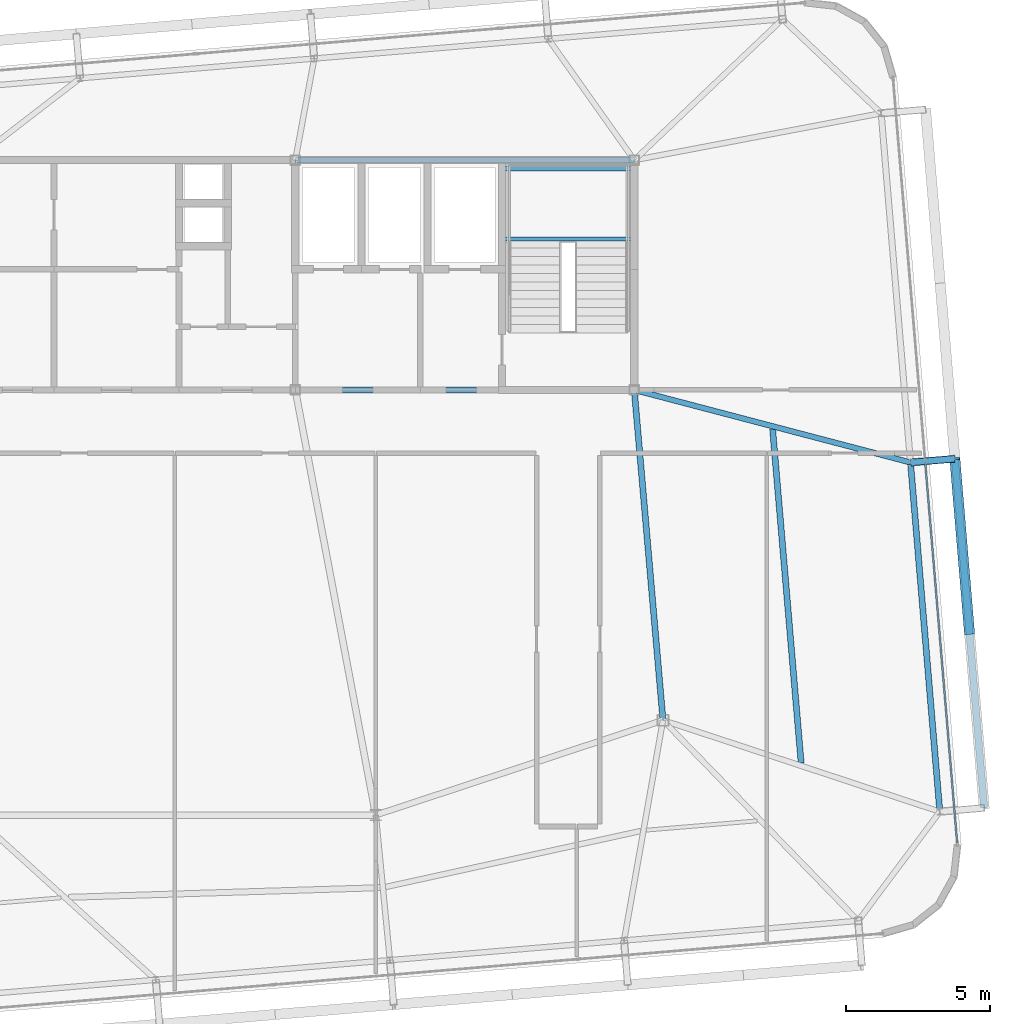
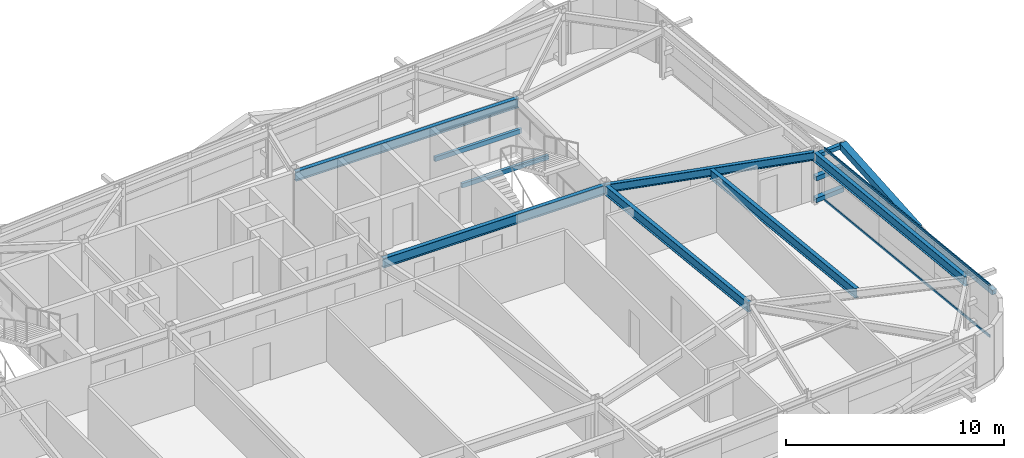
# One storey, part 19 of 39: 8 beams, 7 members, 1 element without a shape of its own.
"""IFC4 building model written with IfcOpenShell, lengths in metres."""

from ifc_helpers import new_model, si_unit, direction, frame, origin, origin_2d, place, context, subcontext, project, spatial, hollow_rectangle, i_section, extrude, source, transform, mapped, material, layer, layer_set, material_profile, profile_set, type_object, element, aggregate, save


model = new_model("IFC4")

# Units and contexts
model_context = context("Model", 3, precision=1e-05, world=origin(), true_north=direction((0.0, 1.0)))
body_context = subcontext(model_context, "Body", "Model", "MODEL_VIEW")
ifc_project = project(units=[si_unit("LENGTHUNIT", "METRE"), si_unit("AREAUNIT", "SQUARE_METRE"), si_unit("VOLUMEUNIT", "CUBIC_METRE"), si_unit("PLANEANGLEUNIT", "RADIAN"), si_unit("MASSUNIT", "GRAM", prefix="KILO")], contexts=[model_context])

# Site, building, storey
site_placement = place(None, origin())
site = spatial("IfcSite", under=ifc_project, at=site_placement, CompositionType="ELEMENT")
building_placement = place(site_placement, origin())
building = spatial("IfcBuilding", under=site, at=building_placement, Name="Taldren Reach Tower", CompositionType="ELEMENT")
storey_placement = place(building_placement, frame((0.0, 0.0, 178.85009765625)))
storey = spatial("IfcBuildingStorey", under=building, at=storey_placement, Name="L54", CompositionType="ELEMENT", Elevation=178.85009765625)

# Beams
ifc_material_1 = material(Name="Steel Gr 350 (350PLUS)", Category="steel")
ifc_material_profile_1 = material_profile(ifc_material_1, i_section(OverallWidth=0.208984375, OverallDepth=0.532958984375, WebThickness=0.01025390625, FlangeThickness=0.015625, at=origin_2d()), Name="530UB92.4")
ifc_profile_set_1 = profile_set([ifc_material_profile_1], Name="Steel Gr 350 (350PLUS)")
beam_type_1 = type_object("IfcBeamType", Name="BM-UB530A", PredefinedType="BEAM", material=ifc_profile_set_1)
shared_shape_1 = source(origin(), body_context, "Body", "SweptSolid", [
    extrude(i_section(OverallWidth=0.208984375, OverallDepth=0.532958984375, WebThickness=0.01025390625, FlangeThickness=0.015625, at=origin_2d()), origin(), (0.0, 0.0, 1.0), 11.800048828125),
])
for number, where, z_axis, x_axis, name in (
    (1, (39.199951171875, 24.0, 2.663330078125), (1.0, 0.0, 0.0), (0.0, 1.0, 0.0), "Core-spine girder L54-SP03"),
    (2, (39.199951171875, 32.0, 2.663330078125), (1.0, 0.0, 0.0), (0.0, 1.0, 0.0), "Core-spine girder L54-SP06"),
):
    element("IfcBeam", number, at=place(storey_placement, frame(where, z_axis=z_axis, x_axis=x_axis)), inside=storey, type_object=beam_type_1, Name=name, PredefinedType="BEAM", context=body_context, shape_type="MappedRepresentation", body=[
        mapped(shared_shape_1, transform((0.0, 0.0, 0.0), scale=1.0)),
    ])
shared_shape_2 = source(origin(), body_context, "Body", "SweptSolid", [
    extrude(i_section(OverallWidth=0.208984375, OverallDepth=0.532958984375, WebThickness=0.01025390625, FlangeThickness=0.015625, at=origin_2d()), origin(), (0.0, 0.0, 1.0), 11.54345703125),
])
beam_1_placement = place(storey_placement, frame((52.0, 12.5, 2.663330078125), z_axis=(-0.086629616365, 0.996240588196, 0.0), x_axis=(-0.996240588196, -0.086629616365, 0.0)))
element("IfcBeam", 3, at=beam_1_placement, inside=storey, type_object=beam_type_1, Name="Core-spine girder L54-SP13", PredefinedType="BEAM", context=body_context, shape_type="MappedRepresentation", body=[
    mapped(shared_shape_2, transform((0.0, 0.0, 0.0), scale=1.0)),
])
ifc_material_profile_2 = material_profile(ifc_material_1, i_section(OverallWidth=0.208984375, OverallDepth=0.528076171875, WebThickness=0.009521484375, FlangeThickness=0.01318359375, at=origin_2d()), Name="530UB82.0")
ifc_profile_set_2 = profile_set([ifc_material_profile_2], Name="Steel Gr 350 (350PLUS)")
beam_type_2 = type_object("IfcBeamType", Name="SP-UB530B", PredefinedType="SPANDREL", material=ifc_profile_set_2)
shared_shape_3 = source(origin(), body_context, "Body", "SweptSolid", [
    extrude(i_section(OverallWidth=0.208984375, OverallDepth=0.528076171875, WebThickness=0.009521484375, FlangeThickness=0.01318359375, at=origin_2d()), origin(), (0.0, 0.0, 1.0), 12.199951171875),
])
beam_2_placement = place(storey_placement, frame((61.63818359375, 9.317626953125, 2.666015625), z_axis=(-0.083688038336, 0.996492003099, 0.0), x_axis=(-0.996492003099, -0.083688038336, 0.0)))
element("IfcBeam", 4, at=beam_2_placement, inside=storey, type_object=beam_type_2, Name="Perimeter spandrel B4 E1-E2 L54", PredefinedType="SPANDREL", context=body_context, shape_type="MappedRepresentation", body=[
    mapped(shared_shape_3, transform((0.0, 0.0, 0.0), scale=1.0)),
])
ifc_material_profile_3 = material_profile(ifc_material_1, i_section(OverallWidth=0.19091796875, OverallDepth=0.4599609375, WebThickness=0.010009765625, FlangeThickness=0.01611328125, at=origin_2d()), Name="460UB82.1")
ifc_profile_set_3 = profile_set([ifc_material_profile_3], Name="Steel Gr 350 (350PLUS)")
beam_type_3 = type_object("IfcBeamType", Name="BM-UB460A", PredefinedType="BEAM", material=ifc_profile_set_3)
shared_shape_4 = source(origin(), body_context, "Body", "SweptSolid", [
    extrude(i_section(OverallWidth=0.19091796875, OverallDepth=0.4599609375, WebThickness=0.010009765625, FlangeThickness=0.01611328125, at=origin_2d()), origin(), (0.0, 0.0, 1.0), 9.943115234375),
])
beam_3_placement = place(storey_placement, frame((51.0, 24.0, 2.699951171875), z_axis=(0.967215285987, -0.253957851923, 0.0), x_axis=(0.253957851923, 0.967215285987, 0.0)))
element("IfcBeam", 5, at=beam_3_placement, inside=storey, type_object=beam_type_3, Name="Primary floor girder B4-E2 L54", PredefinedType="BEAM", context=body_context, shape_type="MappedRepresentation", body=[
    mapped(shared_shape_4, transform((0.0, 0.0, 0.0), scale=1.0)),
])
shared_shape_5 = source(origin(), body_context, "Body", "SweptSolid", [
    extrude(i_section(OverallWidth=0.208984375, OverallDepth=0.532958984375, WebThickness=0.01025390625, FlangeThickness=0.015625, at=origin_2d()), origin(), (0.0, 0.0, 1.0), 11.66650390625),
])
beam_4_placement = place(storey_placement, frame((56.810302734375, 11.01220703125, 2.663330078125), z_axis=(-0.085128704566, 0.996369963246, 0.0), x_axis=(-0.996369963246, -0.085128704566, 0.0)))
element("IfcBeam", 6, at=beam_4_placement, inside=storey, type_object=beam_type_1, Name="Secondary floor beam B4 J7 L54", PredefinedType="BEAM", context=body_context, shape_type="MappedRepresentation", body=[
    mapped(shared_shape_5, transform((0.0, 0.0, 0.0), scale=1.0)),
])

# Members
ifc_material_2 = material(Name="Steel Gr 450 (C450L0)", Category="steel")
ifc_material_profile_4 = material_profile(ifc_material_2, hollow_rectangle(XDim=0.219970703125, YDim=0.219970703125, WallThickness=0.00830078125, at=origin_2d()), Name="220x220x8.2SHS")
ifc_profile_set_4 = profile_set([ifc_material_profile_4], Name="Steel Gr 450 (C450L0)")
member_type_1 = type_object("IfcMemberType", Name="MB-TIE219", PredefinedType="STRUT", material=ifc_profile_set_4)
shared_shape_6 = source(origin(), body_context, "Body", "SweptSolid", [
    extrude(hollow_rectangle(XDim=0.219970703125, YDim=0.219970703125, WallThickness=0.00830078125, at=origin_2d()), origin(), (0.0, 0.0, 1.0), 1.54541015625),
])
member_1_placement = place(storey_placement, frame((60.621826171875, 21.47509765625, 2.64990234375), z_axis=(0.99648887425, 0.083725285883, 0.0), x_axis=(-0.083725285883, 0.99648887425, 0.0)))
element("IfcMember", 7, at=member_1_placement, inside=storey, type_object=member_type_1, Name="Exoskeleton diaphragm tie strut B4-E2 L54", PredefinedType="STRUT", context=body_context, shape_type="MappedRepresentation", body=[
    mapped(shared_shape_6, transform((0.0, 0.0, 0.0), scale=1.0)),
])
ifc_material_3 = material(Name="Steel Gr 350 (C350L0)", Category="steel")
ifc_material_profile_5 = material_profile(ifc_material_3, hollow_rectangle(XDim=0.25, YDim=0.25, WallThickness=0.010009765625, at=origin_2d()), Name="250x250x10.0SHS")
ifc_profile_set_5 = profile_set([ifc_material_profile_5], Name="Steel Gr 350 (C350L0)")
member_type_2 = type_object("IfcMemberType", Name="MB-POST250", PredefinedType="POST", material=ifc_profile_set_5)
shared_shape_7 = source(origin(), body_context, "Body", "SweptSolid", [
    extrude(hollow_rectangle(XDim=0.25, YDim=0.25, WallThickness=0.010009765625, at=origin_2d()), origin(), (0.0, 0.0, 1.0), 12.199951171875),
])
member_2_placement = place(storey_placement, frame((63.1826171875, 9.447265625, 1.434814453125), z_axis=(-0.083668166953, 0.99649367175, 0.0), x_axis=(-0.99649367175, -0.083668166953, 0.0)))
element("IfcMember", 8, at=member_2_placement, inside=storey, type_object=member_type_2, Name="Exoskeleton mid-height ring chord B4-E1 L54", PredefinedType="POST", context=body_context, shape_type="MappedRepresentation", body=[
    mapped(shared_shape_7, transform((0.0, 0.0, 0.0), scale=1.0)),
])
shared_shape_8 = source(origin(), body_context, "Body", "SweptSolid", [
    extrude(hollow_rectangle(XDim=0.25, YDim=0.25, WallThickness=0.010009765625, at=origin_2d()), origin(), (0.0, 0.0, 1.0), 1.54541015625),
])
for number, where, z_axis, x_axis, name in (
    (9, (60.621826171875, 21.47509765625, 0.219970703125), (0.99648887425, 0.083725285883, 0.0), (-0.083725285883, 0.99648887425, 0.0), "Exoskeleton base diaphragm tie strut B4-E2 L54"),
    (10, (60.621826171875, 21.47509765625, 1.434814453125), (0.99648887425, 0.083725285883, 0.0), (-0.083725285883, 0.99648887425, 0.0), "Exoskeleton mid-tier diaphragm tie B4-E2 L54"),
):
    element("IfcMember", number, at=place(storey_placement, frame(where, z_axis=z_axis, x_axis=x_axis)), inside=storey, type_object=member_type_2, Name=name, PredefinedType="POST", context=body_context, shape_type="MappedRepresentation", body=[
        mapped(shared_shape_8, transform((0.0, 0.0, 0.0), scale=1.0)),
    ])
ifc_material_profile_6 = material_profile(ifc_material_2, hollow_rectangle(XDim=0.360107421875, YDim=0.360107421875, WallThickness=0.0126953125, at=origin_2d()), Name="360x360x12.7SHS")
ifc_profile_set_6 = profile_set([ifc_material_profile_6], Name="Steel Gr 450 (C450L0)")
member_type_3 = type_object("IfcMemberType", Name="MB-EXO356", PredefinedType="BRACE", material=ifc_profile_set_6)
shared_shape_9 = source(origin(), body_context, "Body", "SweptSolid", [
    extrude(hollow_rectangle(XDim=0.360107421875, YDim=0.360107421875, WallThickness=0.0126953125, at=origin_2d()), origin(), (0.0, 0.0, 1.0), 6.2197265625),
])
member_3_placement = place(storey_placement, frame((62.672119140625, 15.52587890625, 1.434814453125), z_axis=(-0.082036577282, 0.977295072332, 0.195356959394), x_axis=(-0.996495340012, -0.08364829547, 0.0)))
element("IfcMember", 11, at=member_3_placement, inside=storey, type_object=member_type_3, Name="Exoskeleton Diagrid Brace B4-E1 L54", PredefinedType="BRACE", context=body_context, shape_type="MappedRepresentation", body=[
    mapped(shared_shape_9, transform((0.0, 0.0, 0.0), scale=1.0)),
])

# Curtain wall, members
ifc_material_4 = material(Name="Aluminium and Low-E Glass Unitised System", Category="aluminium")
ifc_layer = layer(ifc_material_4, 0.159912109375)
ifc_layer_set = layer_set([ifc_layer], Name="Aluminium and Low-E Glass Unitised System")
curtain_wall_type = type_object("IfcCurtainWallType", Name="CW-SYS-5", PredefinedType="NOTDEFINED", material=ifc_layer_set)
curtain_wall_placement = place(storey_placement, origin())
curtain_wall = element("IfcCurtainWall", 12, at=curtain_wall_placement, inside=storey, type_object=curtain_wall_type, Name="Unitised curtain wall CW-L54-E", PredefinedType="NOTDEFINED")
ifc_material_5 = material(Name="Anodised Aluminium 6063-T6", Category="aluminium")
ifc_material_profile_7 = material_profile(ifc_material_5, hollow_rectangle(XDim=0.06005859375, YDim=0.135009765625, WallThickness=0.00341796875, at=origin_2d()), Name="ALU-135x60x3.5RHS")
ifc_profile_set_7 = profile_set([ifc_material_profile_7], Name="Anodised Aluminium 6063-T6")
member_type_4 = type_object("IfcMemberType", Name="CW-TRN-150", PredefinedType="USERDEFINED", material=ifc_profile_set_7)
shared_shape_10 = source(origin(), body_context, "Body", "SweptSolid", [
    extrude(hollow_rectangle(XDim=0.06005859375, YDim=0.135009765625, WallThickness=0.00341796875, at=origin_2d()), origin(), (0.0, 0.0, 1.0), 13.295166015625),
])
member_4_placement = place(storey_placement, frame((62.240966796875, 8.234130859375, 0.02978515625), z_axis=(-0.083680700004, 0.996492619364, 0.0), x_axis=(-0.996492619364, -0.083680700004, 0.0)))
member_4 = element("IfcMember", 13, at=member_4_placement, type_object=member_type_4, Name="CW-5 transom 1.1", ObjectType="TRANSOM", PredefinedType="USERDEFINED", context=body_context, shape_type="MappedRepresentation", body=[
    mapped(shared_shape_10, transform((0.0, 0.0, 0.0), scale=1.0)),
])
member_5_placement = place(storey_placement, frame((62.240966796875, 8.234130859375, 2.89990234375), z_axis=(-0.083680700004, 0.996492619364, 0.0), x_axis=(-0.996492619364, -0.083680700004, 0.0)))
member_5 = element("IfcMember", 14, at=member_5_placement, type_object=member_type_4, Name="CW-5 transom 1.2", ObjectType="TRANSOM", PredefinedType="USERDEFINED", context=body_context, shape_type="MappedRepresentation", body=[
    mapped(shared_shape_10, transform((0.0, 0.0, 0.0), scale=1.0)),
])
aggregate(curtain_wall, [member_4, member_5])

# Beams
ifc_material_profile_8 = material_profile(ifc_material_3, hollow_rectangle(XDim=0.14990234375, YDim=0.25, WallThickness=0.009033203125, at=origin_2d()), Name="250x150x9.0RHS")
ifc_profile_set_8 = profile_set([ifc_material_profile_8], Name="Steel Gr 350 (C350L0)")
beam_type_4 = type_object("IfcBeamType", Name="LN-RHS250", PredefinedType="LINTEL", material=ifc_profile_set_8)
shared_shape_11 = source(origin(), body_context, "Body", "SweptSolid", [
    extrude(hollow_rectangle(XDim=0.14990234375, YDim=0.25, WallThickness=0.009033203125, at=origin_2d()), origin(), (0.0, 0.0, 1.0), 4.60009765625),
])
for number, where, z_axis, x_axis, name in (
    (15, (46.39990234375, 29.2548828125, 1.27001953125), (1.0, 0.0, 0.0), (0.0, 1.0, 0.0), "Stair half-landing support beam ST2-L54-1"),
    (16, (46.39990234375, 31.699951171875, 1.27001953125), (1.0, 0.0, 0.0), (0.0, 1.0, 0.0), "Stair half-landing support beam ST2-L54-2"),
):
    element("IfcBeam", number, at=place(storey_placement, frame(where, z_axis=z_axis, x_axis=x_axis)), inside=storey, type_object=beam_type_4, Name=name, PredefinedType="LINTEL", context=body_context, shape_type="MappedRepresentation", body=[
        mapped(shared_shape_11, transform((0.0, 0.0, 0.0), scale=1.0)),
    ])

save(model, "model.ifc")
